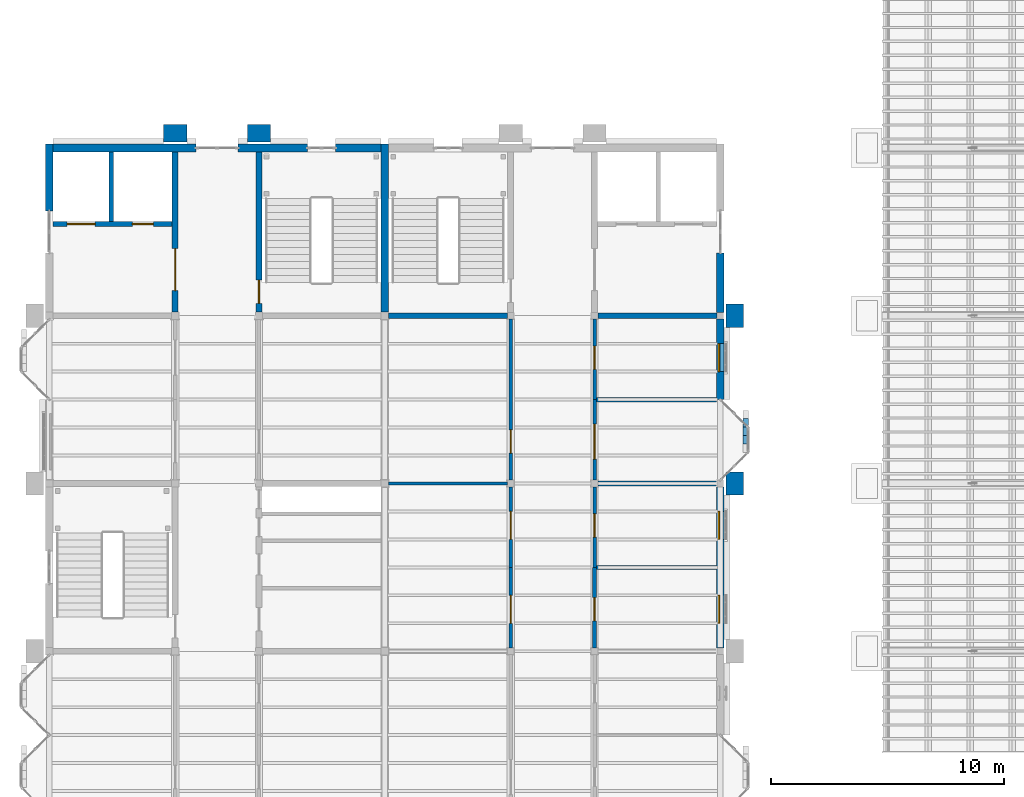
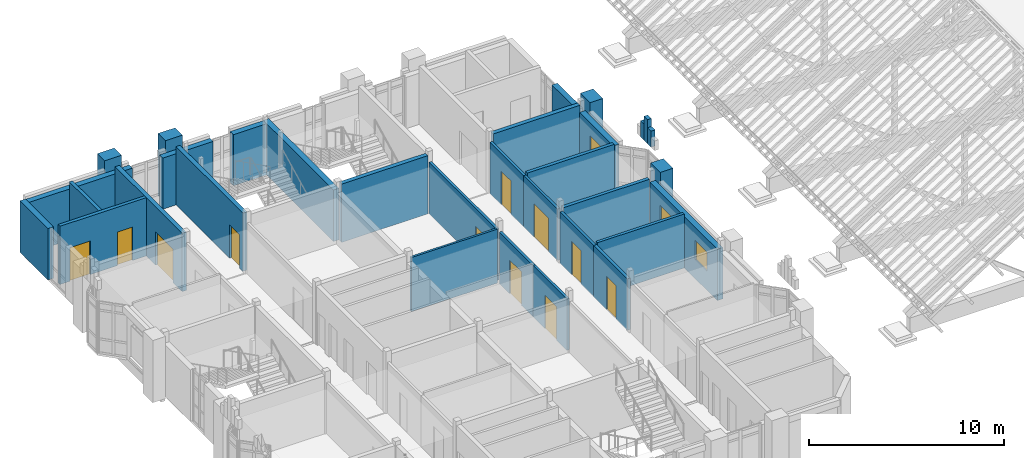
# One storey, part 43 of 71: 32 walls, 11 doors, 3 windows, 14 openings.
"""IFC4 building model written with IfcOpenShell, lengths in metres."""

import ifcopenshell
import ifcopenshell.guid

model = None  # the IFC model being written
_history = None  # IfcOwnerHistory: only IFC2X3 demands one
_inside = {}  # id of a spatial element -> (the spatial element, [elements in it])
_under = {}  # id of a project, library or spatial element -> (it, [spatial elements below it])
_declared = {}  # id of a project -> (the project, [libraries it declares])
_typed = {}  # id of a type object -> (the type object, [elements of that type])
_made_of = {}  # id of a material, layer set ... -> (it, [elements and type objects made of it])


def new_model(schema):
    """Start an empty IFC model of exactly this schema.

    Asked for "IFC4X3", IfcOpenShell would pick the latest addendum, in which some entities
    have other attributes; the version numbers below select the first issue.
    IFC2X3 requires an IfcOwnerHistory on every rooted entity: one is made here for all.
    """
    global model, _history
    if schema == "IFC4X3":
        model = ifcopenshell.file(schema_version=(4, 3, 0, 0))
    else:
        model = ifcopenshell.file(schema=schema)
    _inside.clear()
    _under.clear()
    _declared.clear()
    _typed.clear()
    _made_of.clear()
    _history = None
    if model.schema == "IFC2X3":
        org = make("IfcOrganization", Name="unknown")
        user = make(
            "IfcPersonAndOrganization",
            ThePerson=make("IfcPerson", FamilyName="unknown"),
            TheOrganization=org,
        )
        app = make(
            "IfcApplication",
            ApplicationDeveloper=org,
            Version="unknown",
            ApplicationFullName="unknown",
            ApplicationIdentifier="unknown",
        )
        _history = make(
            "IfcOwnerHistory",
            OwningUser=user,
            OwningApplication=app,
            ChangeAction="ADDED",
            CreationDate=0,
        )
    return model


def make(cls, **values):
    """One entity of the class cls with the attributes given. An attribute that is None is left unset."""
    return model.create_entity(
        cls, **{name: value for name, value in values.items() if value is not None}
    )


def rooted(cls, **values):
    """An entity with a GlobalId (a new one), such as an element, a storey or a relation."""
    return make(cls, GlobalId=ifcopenshell.guid.new(), OwnerHistory=_history, **values)


def si_unit(unit_type, name, prefix=None):
    """IfcSIUnit, for example si_unit("LENGTHUNIT", "METRE", prefix="MILLI")."""
    return make("IfcSIUnit", UnitType=unit_type, Prefix=prefix, Name=name)


def assignment(units):
    """IfcUnitAssignment: the units of a project."""
    return None if units is None else make("IfcUnitAssignment", Units=units)


def point(xyz):
    """IfcCartesianPoint."""
    return None if xyz is None else make("IfcCartesianPoint", Coordinates=xyz)


def direction(xyz):
    """IfcDirection."""
    return None if xyz is None else make("IfcDirection", DirectionRatios=xyz)


def frame(location, z_axis=None, x_axis=None):
    """IfcAxis2Placement3D, a coordinate frame: its origin and axes. An axis left out is left unset."""
    return make(
        "IfcAxis2Placement3D",
        Location=point(location),
        Axis=direction(z_axis),
        RefDirection=direction(x_axis),
    )


def frame_2d(location, x_axis=None):
    """IfcAxis2Placement2D, a coordinate frame in the plane: its origin and x axis."""
    return make(
        "IfcAxis2Placement2D", Location=point(location), RefDirection=direction(x_axis)
    )


def origin():
    """The frame at (0, 0, 0) with its axes left unset."""
    return frame((0.0, 0.0, 0.0))


def place(relative_to, where):
    """IfcLocalPlacement: puts the frame where relative to a parent placement (None: the world)."""
    return make(
        "IfcLocalPlacement", PlacementRelTo=relative_to, RelativePlacement=where
    )


def context(
    kind, dimensions, precision=None, world=None, true_north=None, identifier=None
):
    """IfcGeometricRepresentationContext, for example the 3D "Model" context."""
    return make(
        "IfcGeometricRepresentationContext",
        ContextIdentifier=identifier,
        ContextType=kind,
        CoordinateSpaceDimension=dimensions,
        Precision=precision,
        WorldCoordinateSystem=world,
        TrueNorth=true_north,
    )


def subcontext(parent, identifier, kind, view, scale=None):
    """IfcGeometricRepresentationSubContext, for example "Body" below "Model"."""
    return make(
        "IfcGeometricRepresentationSubContext",
        ContextIdentifier=identifier,
        ContextType=kind,
        ParentContext=parent,
        TargetScale=scale,
        TargetView=view,
    )


def project(units=None, contexts=None):
    """IfcProject with its units and contexts."""
    return rooted(
        "IfcProject",
        Name="project",
        RepresentationContexts=contexts,
        UnitsInContext=assignment(units),
    )


def spatial(cls, under=None, at=None, **own):
    """A site, building, storey or space (cls), placed at a placement, below another one or the project."""
    s = rooted(cls, ObjectPlacement=at, **own)
    if under is not None:
        _under.setdefault(under.id(), (under, []))[1].append(s)
    return s


def profile(cls, at=None, kind="AREA", **sizes):
    """A parametric profile (cls). Its sizes go by their IFC names, for example OverallWidth=200.0."""
    return make(cls, ProfileType=kind, Position=at, **sizes)


def rectangle(**sizes):
    """IfcRectangleProfileDef."""
    return profile("IfcRectangleProfileDef", **sizes)


def extrude(swept, where, along, depth):
    """IfcExtrudedAreaSolid: the profile swept, set in the frame where, extruded along a direction by depth."""
    return make(
        "IfcExtrudedAreaSolid",
        SweptArea=swept,
        Position=where,
        ExtrudedDirection=direction(along),
        Depth=depth,
    )


def shape(context_of_items, identifier, shape_type, items):
    """IfcShapeRepresentation: the items that make up one representation, for example the "Body"."""
    return make(
        "IfcShapeRepresentation",
        ContextOfItems=context_of_items,
        RepresentationIdentifier=identifier,
        RepresentationType=shape_type,
        Items=items,
    )


def material(Name=None, Category=None):
    """IfcMaterial."""
    return make("IfcMaterial", Name=Name, Category=Category)


def layer(
    of_material, thickness, ventilated=None, Name=None, Category=None, Priority=None
):
    """IfcMaterialLayer: one layer of a wall or slab, of a material (None: an air gap)."""
    return make(
        "IfcMaterialLayer",
        Material=of_material,
        LayerThickness=thickness,
        IsVentilated=ventilated,
        Name=Name,
        Category=Category,
        Priority=Priority,
    )


def layer_set(layers, Name=None):
    """IfcMaterialLayerSet."""
    return make("IfcMaterialLayerSet", MaterialLayers=layers, LayerSetName=Name)


def made_of(thing, what):
    """Note that an element or type object is made of a material, layer set ...; save() writes the relation."""
    if what is not None:
        _made_of.setdefault(what.id(), (what, []))[1].append(thing)
    return thing


def type_object(cls, material=None, **own):
    """A type object (cls), such as IfcWallType, which elements share."""
    return made_of(rooted(cls, **own), material)


def element(
    cls,
    number,
    at=None,
    inside=None,
    cuts=None,
    type_object=None,
    material=None,
    context=None,
    identifier="Body",
    shape_type=None,
    held_by="IfcProductDefinitionShape",
    body=None,
    shapes=None,
    **own,
):
    """One element of the class cls, such as IfcWall. Its Tag is "e" and its number.

    at: its placement. inside: the storey or other place that contains it. cuts: it is an
    opening in that element (IfcRelVoidsElement). A single representation is given by context,
    identifier, shape_type and body (its items); several are given by shapes. held_by: the class
    of the entity that holds the representations. save() writes the other relations.
    """
    e = rooted(cls, Tag="e%d" % number, ObjectPlacement=at, **own)
    if body is not None:
        shapes = [shape(context, identifier, shape_type, body)]
    if shapes is not None:
        e.Representation = make(held_by, Representations=shapes)
    if inside is not None:
        _inside.setdefault(inside.id(), (inside, []))[1].append(e)
    if cuts is not None:
        rooted(
            "IfcRelVoidsElement", RelatingBuildingElement=cuts, RelatedOpeningElement=e
        )
    if type_object is not None:
        _typed.setdefault(type_object.id(), (type_object, []))[1].append(e)
    return made_of(e, material)


def fill(opening, filler):
    """IfcRelFillsElement: the door or window that sits in an opening."""
    return rooted(
        "IfcRelFillsElement",
        RelatingOpeningElement=opening,
        RelatedBuildingElement=filler,
    )


def aggregate(whole, parts):
    """IfcRelAggregates: a whole, such as a stair, and the parts it consists of."""
    return rooted("IfcRelAggregates", RelatingObject=whole, RelatedObjects=parts)


def save(model, path):
    """Write the relations noted so far, then the file.

    IfcRelAggregates (storeys below a building ...), IfcRelContainedInSpatialStructure (elements
    in a storey), IfcRelDefinesByType, IfcRelAssociatesMaterial and IfcRelDeclares: one each for
    every whole, place, type object, material and project.
    """
    for whole, parts in _under.values():
        aggregate(whole, parts)
    for where, things in _inside.values():
        rooted(
            "IfcRelContainedInSpatialStructure",
            RelatedElements=things,
            RelatingStructure=where,
        )
    for kind, things in _typed.values():
        rooted("IfcRelDefinesByType", RelatedObjects=things, RelatingType=kind)
    for what, things in _made_of.values():
        rooted("IfcRelAssociatesMaterial", RelatedObjects=things, RelatingMaterial=what)
    for by, libraries in _declared.values():
        rooted("IfcRelDeclares", RelatingContext=by, RelatedDefinitions=libraries)
    model.write(path)


model = new_model("IFC4")

# Units and contexts
model_context = context("Model", 3, precision=1e-05, world=origin(), true_north=direction((0.0, 1.0)))
body_context = subcontext(model_context, "Body", "Model", "MODEL_VIEW")
ifc_project = project(units=[si_unit("LENGTHUNIT", "METRE"), si_unit("AREAUNIT", "SQUARE_METRE"), si_unit("VOLUMEUNIT", "CUBIC_METRE"), si_unit("PLANEANGLEUNIT", "RADIAN"), si_unit("MASSUNIT", "GRAM", prefix="KILO")], contexts=[model_context])

# Site, building, storey
site_placement = place(None, origin())
site = spatial("IfcSite", under=ifc_project, at=site_placement, CompositionType="ELEMENT")
building_placement = place(site_placement, origin())
building = spatial("IfcBuilding", under=site, at=building_placement, Name="Mazhai Court Health Centre", CompositionType="ELEMENT")
storey_placement = place(building_placement, frame((0.0, 0.0, 10.199951171875)))
storey = spatial("IfcBuildingStorey", under=building, at=storey_placement, Name="L02", CompositionType="ELEMENT", Elevation=10.199951171875)

# Walls
ifc_material_1 = material(Name="Clay brick masonry", Category="masonry")
ifc_layer_1 = layer(ifc_material_1, 0.22998046875)
ifc_layer_set_1 = layer_set([ifc_layer_1], Name="BRICK PARAPET 230")
wall_type_1 = type_object("IfcWallType", Name="BRICK PARAPET 230", PredefinedType="SOLIDWALL", material=ifc_layer_set_1)
wall_1_placement = place(storey_placement, frame((36.0849609375, 29.860107421875, 3.900146484375), z_axis=(0.0, 0.0, 1.0), x_axis=(0.0, -1.0, 0.0)))
element("IfcWall", 1, at=wall_1_placement, inside=storey, type_object=wall_type_1, Name="PR-V5-L02-B30-1", PredefinedType="SOLIDWALL", context=body_context, shape_type="SweptSolid", body=[
    extrude(rectangle(XDim=0.360107421875, YDim=0.22998046875, at=frame_2d((0.18017578125, 0.0))), origin(), (0.0, 0.0, 1.0), 1.0),
])
wall_2_placement = place(storey_placement, frame((36.0849609375, 30.219970703125, 3.900146484375), z_axis=(0.0, 0.0, 1.0), x_axis=(0.0, -1.0, 0.0)))
element("IfcWall", 2, at=wall_2_placement, inside=storey, type_object=wall_type_1, Name="PR-V5-L02-B30-2", PredefinedType="SOLIDWALL", context=body_context, shape_type="SweptSolid", body=[
    extrude(rectangle(XDim=0.35986328125, YDim=0.22998046875, at=frame_2d((0.179931640625, 0.0))), origin(), (0.0, 0.0, 1.0), 1.5),
])
wall_3_placement = place(storey_placement, frame((36.0849609375, 30.580078125, 3.900146484375), z_axis=(0.0, 0.0, 1.0), x_axis=(0.0, -1.0, 0.0)))
element("IfcWall", 3, at=wall_3_placement, inside=storey, type_object=wall_type_1, Name="PR-V5-L02-B30-3", PredefinedType="SOLIDWALL", context=body_context, shape_type="SweptSolid", body=[
    extrude(rectangle(XDim=0.360107421875, YDim=0.22998046875, at=frame_2d((0.18017578125, 0.0))), origin(), (0.0, 0.0, 1.0), 1.0),
])
ifc_material_2 = material(Name="Clay brick masonry", Category="masonry")
ifc_layer_2 = layer(ifc_material_2, 0.75)
ifc_layer_set_2 = layer_set([ifc_layer_2], Name="BRICK PIER 750")
wall_type_2 = type_object("IfcWallType", Name="BRICK PIER 750", PredefinedType="SOLIDWALL", material=ifc_layer_set_2)
for number, where, z_axis, x_axis, name in (
    (4, (11.10009765625, 42.824951171875, 0.0), (0.0, 0.0, 1.0), (1.0, 0.0, 0.0), "EP-V2-L02-E54"),
    (5, (14.699951171875, 42.824951171875, 0.0), (0.0, 0.0, 1.0), (1.0, 0.0, 0.0), "EP-V2-L02-E90"),
    (6, (35.625, 28.300048828125, 0.0), (0.0, 0.0, 1.0), (0.0, -1.0, 0.0), "EP-V5-L02-B3"),
    (7, (35.625, 35.5, 0.0), (0.0, 0.0, 1.0), (0.0, -1.0, 0.0), "EP-V5-L02-B4"),
):
    element("IfcWall", number, at=place(storey_placement, frame(where, z_axis=z_axis, x_axis=x_axis)), inside=storey, type_object=wall_type_2, Name=name, PredefinedType="SOLIDWALL", context=body_context, shape_type="SweptSolid", body=[
        extrude(rectangle(XDim=1.0, YDim=0.75, at=frame_2d((0.5, 0.0))), origin(), (0.0, 0.0, 1.0), 3.900146484375),
    ])
ifc_material_3 = material(Name="Clay brick masonry", Category="masonry")
ifc_layer_3 = layer(ifc_material_3, 0.330078125)
ifc_layer_set_3 = layer_set([ifc_layer_3], Name="BRICK WALL 330 EXTERNAL")
wall_type_3 = type_object("IfcWallType", Name="BRICK WALL 330 EXTERNAL", PredefinedType="SOLIDWALL", material=ifc_layer_set_3)
wall_4_placement = place(storey_placement, frame((6.199951171875, 39.5, 0.0), z_axis=(0.0, 0.0, 1.0), x_axis=(0.0, 1.0, 0.0)))
element("IfcWall", 8, at=wall_4_placement, inside=storey, type_object=wall_type_3, Name="EW-V2-L02-A4b", PredefinedType="SOLIDWALL", context=body_context, shape_type="SweptSolid", body=[
    extrude(rectangle(XDim=2.864990234375, YDim=0.330078125, at=frame_2d((1.4326171875, 0.0))), origin(), (0.0, 0.0, 1.0), 3.219970703125),
])
wall_5_placement = place(storey_placement, frame((6.364990234375, 42.199951171875, 0.0), z_axis=(0.0, 0.0, 1.0), x_axis=(1.0, 0.0, 0.0)))
element("IfcWall", 9, at=wall_5_placement, inside=storey, type_object=wall_type_3, Name="EW-V2-L02-Ep0", PredefinedType="SOLIDWALL", context=body_context, shape_type="SweptSolid", body=[
    extrude(rectangle(XDim=6.135009765625, YDim=0.330078125, at=frame_2d((3.0673828125, 0.0))), origin(), (0.0, 0.0, 1.0), 3.199951171875),
])
wall_6_placement = place(storey_placement, frame((14.300048828125, 42.199951171875, 0.0), z_axis=(0.0, 0.0, 1.0), x_axis=(1.0, 0.0, 0.0)))
element("IfcWall", 10, at=wall_6_placement, inside=storey, type_object=wall_type_3, Name="EW-V2-L02-Ep1", PredefinedType="SOLIDWALL", context=body_context, shape_type="SweptSolid", body=[
    extrude(rectangle(XDim=2.97998046875, YDim=0.330078125, at=frame_2d((1.489990234375, 0.0))), origin(), (0.0, 0.0, 1.0), 3.199951171875),
])
wall_7_placement = place(storey_placement, frame((18.47998046875, 42.199951171875, 0.0), z_axis=(0.0, 0.0, 1.0), x_axis=(1.0, 0.0, 0.0)))
element("IfcWall", 11, at=wall_7_placement, inside=storey, type_object=wall_type_3, Name="EW-V2-L02-Ep2", PredefinedType="SOLIDWALL", context=body_context, shape_type="SweptSolid", body=[
    extrude(rectangle(XDim=1.955078125, YDim=0.330078125, at=frame_2d((0.9775390625, 0.0))), origin(), (0.0, 0.0, 1.0), 3.199951171875),
])

# Wall, openings, windows
wall_8_placement = place(storey_placement, frame((35.0, 27.659912109375, 0.0), z_axis=(0.0, 0.0, 1.0), x_axis=(0.0, -1.0, 0.0)))
wall_8 = element("IfcWall", 12, at=wall_8_placement, inside=storey, type_object=wall_type_3, Name="EW-V5-L02-B2p0", PredefinedType="SOLIDWALL", context=body_context, shape_type="SweptSolid", body=[
    extrude(rectangle(XDim=6.919921875, YDim=0.330078125, at=frame_2d((3.4599609375, 0.0))), origin(), (0.0, 0.0, 1.0), 3.219970703125),
])
opening_1_placement = place(wall_8_placement, frame((4.659912109375, 0.0, 1.199951171875)))
opening_1 = element("IfcOpeningElement", 13, at=opening_1_placement, cuts=wall_8, Name="Opening W13", PredefinedType="OPENING", context=body_context, shape_type="SweptSolid", body=[
    extrude(rectangle(XDim=1.199951171875, YDim=1.199951171875, at=frame_2d((0.60009765625, 0.60009765625))), frame((0.0, 0.175048828125, 0.0), z_axis=(0.0, -1.0, 0.0), x_axis=(1.0, 0.0, 0.0)), (0.0, 0.0, 1.0), 0.35009765625),
])
opening_2_placement = place(wall_8_placement, frame((1.06005859375, 0.0, 0.89990234375)))
opening_2 = element("IfcOpeningElement", 14, at=opening_2_placement, cuts=wall_8, Name="Opening W12", PredefinedType="OPENING", context=body_context, shape_type="SweptSolid", body=[
    extrude(rectangle(XDim=1.199951171875, YDim=1.5, at=frame_2d((0.60009765625, 0.75))), frame((0.0, 0.175048828125, 0.0), z_axis=(0.0, -1.0, 0.0), x_axis=(1.0, 0.0, 0.0)), (0.0, 0.0, 1.0), 0.35009765625),
])
ifc_material_4 = material(Name="Teak timber frame, glazed", Category="wood")
window_type_1 = type_object("IfcWindowType", Name="WINDOW OFFICE 1200x1500", PartitioningType="SINGLE_PANEL", PredefinedType="WINDOW", material=ifc_material_4)
window_1_placement = place(opening_2_placement, origin())
window_1 = element("IfcWindow", 15, at=window_1_placement, inside=storey, type_object=window_type_1, Name="W12 WN-V5-L02-B21", OverallHeight=1.5, OverallWidth=1.199951171875, PartitioningType="SINGLE_PANEL", PredefinedType="WINDOW", context=body_context, shape_type="SweptSolid", body=[
    extrude(rectangle(XDim=1.199951171875, YDim=1.5, at=frame_2d((0.60009765625, 0.75))), frame((0.0, -0.030029296875, 0.0), z_axis=(0.0, -1.0, 0.0), x_axis=(1.0, 0.0, 0.0)), (0.0, 0.0, 1.0), 0.06005859375),
])
fill(opening_2, window_1)
ifc_material_5 = material(Name="Aluminium louvre frame", Category="aluminium")
window_type_2 = type_object("IfcWindowType", Name="WINDOW PLANT LOUVRE 1200x1200", PartitioningType="SINGLE_PANEL", PredefinedType="WINDOW", material=ifc_material_5)
window_2_placement = place(opening_1_placement, origin())
window_2 = element("IfcWindow", 16, at=window_2_placement, inside=storey, type_object=window_type_2, Name="W13 WN-V5-L02-B20", OverallHeight=1.199951171875, OverallWidth=1.199951171875, PartitioningType="SINGLE_PANEL", PredefinedType="WINDOW", context=body_context, shape_type="SweptSolid", body=[
    extrude(rectangle(XDim=1.199951171875, YDim=1.199951171875, at=frame_2d((0.60009765625, 0.60009765625))), frame((0.0, -0.030029296875, 0.0), z_axis=(0.0, -1.0, 0.0), x_axis=(1.0, 0.0, 0.0)), (0.0, 0.0, 1.0), 0.06005859375),
])
fill(opening_1, window_2)

# Wall, opening, window
wall_9_placement = place(storey_placement, frame((35.0, 34.860107421875, 0.0), z_axis=(0.0, 0.0, 1.0), x_axis=(0.0, -1.0, 0.0)))
wall_9 = element("IfcWall", 17, at=wall_9_placement, inside=storey, type_object=wall_type_3, Name="EW-V5-L02-B3p1", PredefinedType="SOLIDWALL", context=body_context, shape_type="SweptSolid", body=[
    extrude(rectangle(XDim=3.460205078125, YDim=0.330078125, at=frame_2d((1.72998046875, 0.0))), origin(), (0.0, 0.0, 1.0), 3.219970703125),
])
opening_3_placement = place(wall_9_placement, frame((1.06005859375, 0.0, 0.89990234375)))
opening_3 = element("IfcOpeningElement", 18, at=opening_3_placement, cuts=wall_9, Name="Opening W12", PredefinedType="OPENING", context=body_context, shape_type="SweptSolid", body=[
    extrude(rectangle(XDim=1.199951171875, YDim=1.5, at=frame_2d((0.60009765625, 0.75))), frame((0.0, 0.175048828125, 0.0), z_axis=(0.0, -1.0, 0.0), x_axis=(1.0, 0.0, 0.0)), (0.0, 0.0, 1.0), 0.35009765625),
])
window_3_placement = place(opening_3_placement, origin())
window_3 = element("IfcWindow", 19, at=window_3_placement, inside=storey, type_object=window_type_1, Name="W12 WN-V5-L02-B31", OverallHeight=1.5, OverallWidth=1.199951171875, PartitioningType="SINGLE_PANEL", PredefinedType="WINDOW", context=body_context, shape_type="SweptSolid", body=[
    extrude(rectangle(XDim=1.199951171875, YDim=1.5, at=frame_2d((0.60009765625, 0.75))), frame((0.0, -0.030029296875, 0.0), z_axis=(0.0, -1.0, 0.0), x_axis=(1.0, 0.0, 0.0)), (0.0, 0.0, 1.0), 0.06005859375),
])
fill(opening_3, window_3)

# Walls
wall_10_placement = place(storey_placement, frame((35.0, 37.699951171875, 0.0), z_axis=(0.0, 0.0, 1.0), x_axis=(0.0, -1.0, 0.0)))
element("IfcWall", 20, at=wall_10_placement, inside=storey, type_object=wall_type_3, Name="EW-V5-L02-B4a", PredefinedType="SOLIDWALL", context=body_context, shape_type="SweptSolid", body=[
    extrude(rectangle(XDim=2.56005859375, YDim=0.330078125, at=frame_2d((1.280029296875, 0.0))), origin(), (0.0, 0.0, 1.0), 3.219970703125),
])
ifc_material_6 = material(Name="Clay brick masonry", Category="masonry")
ifc_layer_4 = layer(ifc_material_6, 0.330078125)
ifc_layer_set_4 = layer_set([ifc_layer_4], Name="BRICK WALL 330 INTERNAL")
wall_type_4 = type_object("IfcWallType", Name="BRICK WALL 330 INTERNAL", PredefinedType="SOLIDWALL", material=ifc_layer_set_4)
wall_11_placement = place(storey_placement, frame((20.60009765625, 42.364990234375, 0.0), z_axis=(0.0, 0.0, 1.0), x_axis=(0.0, -1.0, 0.0)))
element("IfcWall", 21, at=wall_11_placement, inside=storey, type_object=wall_type_4, Name="EW-V2-L02-B4", PredefinedType="SOLIDWALL", context=body_context, shape_type="SweptSolid", body=[
    extrude(rectangle(XDim=7.205078125, YDim=0.330078125, at=frame_2d((3.6025390625, 0.0))), origin(), (0.0, 0.0, 1.0), 3.219970703125),
])
ifc_material_7 = material(Name="Gypsum plasterboard partition")
ifc_layer_5 = layer(ifc_material_7, 0.125)
ifc_layer_set_5 = layer_set([ifc_layer_5], Name="PARTITION 125 STUD EI30")
wall_type_5 = type_object("IfcWallType", Name="PARTITION 125 STUD EI30", PredefinedType="PARTITIONING", material=ifc_layer_set_5)
wall_12_placement = place(storey_placement, frame((20.764892578125, 27.800048828125, 0.0), z_axis=(0.0, 0.0, 1.0), x_axis=(1.0, 0.0, 0.0)))
element("IfcWall", 22, at=wall_12_placement, inside=storey, type_object=wall_type_5, Name="wall-V5-L02-A0-cross-3a", PredefinedType="PARTITIONING", context=body_context, shape_type="SweptSolid", body=[
    extrude(rectangle(XDim=5.09521484375, YDim=0.125, at=frame_2d((2.547607421875, 0.0))), origin(), (0.0, 0.0, 1.0), 3.380126953125),
])

# Wall, opening, door
ifc_material_8 = material(Name="Gypsum plasterboard partition")
ifc_layer_6 = layer(ifc_material_8, 0.14990234375)
ifc_layer_set_6 = layer_set([ifc_layer_6], Name="PARTITION 150 CORRIDOR EI60")
wall_type_6 = type_object("IfcWallType", Name="PARTITION 150 CORRIDOR EI60", PredefinedType="PARTITIONING", material=ifc_layer_set_6)
wall_13_placement = place(storey_placement, frame((26.0, 20.739990234375, 0.0), z_axis=(0.0, 0.0, 1.0), x_axis=(0.0, 1.0, 0.0)))
wall_13 = element("IfcWall", 23, at=wall_13_placement, inside=storey, type_object=wall_type_6, Name="wall-V5-L02-A0-corr-1a", PredefinedType="PARTITIONING", context=body_context, shape_type="SweptSolid", body=[
    extrude(rectangle(XDim=3.4599609375, YDim=0.14990234375, at=frame_2d((1.72998046875, 0.0))), origin(), (0.0, 0.0, 1.0), 3.219970703125),
])
opening_4_placement = place(wall_13_placement, frame((1.06005859375, 0.0, 0.0)))
opening_4 = element("IfcOpeningElement", 24, at=opening_4_placement, cuts=wall_13, Name="Opening D-L02-021", PredefinedType="OPENING", context=body_context, shape_type="SweptSolid", body=[
    extrude(rectangle(XDim=1.199951171875, YDim=2.10009765625, at=frame_2d((0.60009765625, 1.050048828125))), frame((0.0, 0.0849609375, 0.0), z_axis=(0.0, -1.0, 0.0), x_axis=(1.0, 0.0, 0.0)), (0.0, 0.0, 1.0), 0.169921875),
])
ifc_material_9 = material(Name="Hardwood door leaf", Category="wood")
door_type_1 = type_object("IfcDoorType", Name="DOOR 1200x2100 FD30S WIDE SINGLE", OperationType="NOTDEFINED", PredefinedType="DOOR", material=ifc_material_9)
door_1_placement = place(opening_4_placement, origin())
door_1 = element("IfcDoor", 25, at=door_1_placement, inside=storey, type_object=door_type_1, Name="door-V5-L02-A0-physiotherapy-treatment-room-1", OperationType="SINGLE_SWING_LEFT", OverallHeight=2.10009765625, OverallWidth=1.199951171875, PredefinedType="DOOR", context=body_context, shape_type="SweptSolid", body=[
    extrude(rectangle(XDim=1.199951171875, YDim=2.10009765625, at=frame_2d((0.60009765625, 1.050048828125))), frame((0.0, 0.02490234375, 0.0), z_axis=(0.0, -1.0, 0.0), x_axis=(1.0, 0.0, 0.0)), (0.0, 0.0, 1.0), 0.050048828125),
])
fill(opening_4, door_1)

wall_14_placement = place(storey_placement, frame((26.0, 24.199951171875, 0.0), z_axis=(0.0, 0.0, 1.0), x_axis=(0.0, 1.0, 0.0)))
wall_14 = element("IfcWall", 26, at=wall_14_placement, inside=storey, type_object=wall_type_6, Name="wall-V5-L02-A0-corr-2a", PredefinedType="PARTITIONING", context=body_context, shape_type="SweptSolid", body=[
    extrude(rectangle(XDim=3.4599609375, YDim=0.14990234375, at=frame_2d((1.72998046875, 0.0))), origin(), (0.0, 0.0, 1.0), 3.219970703125),
])
opening_5_placement = place(wall_14_placement, frame((1.199951171875, 0.0, 0.0)))
opening_5 = element("IfcOpeningElement", 27, at=opening_5_placement, cuts=wall_14, Name="Opening D-L02-022", PredefinedType="OPENING", context=body_context, shape_type="SweptSolid", body=[
    extrude(rectangle(XDim=1.199951171875, YDim=2.10009765625, at=frame_2d((0.60009765625, 1.050048828125))), frame((0.0, 0.0849609375, 0.0), z_axis=(0.0, -1.0, 0.0), x_axis=(1.0, 0.0, 0.0)), (0.0, 0.0, 1.0), 0.169921875),
])
door_2_placement = place(opening_5_placement, origin())
door_2 = element("IfcDoor", 28, at=door_2_placement, inside=storey, type_object=door_type_1, Name="door-V5-L02-A0-physiotherapy-treatment-room-2", OperationType="SINGLE_SWING_RIGHT", OverallHeight=2.10009765625, OverallWidth=1.199951171875, PredefinedType="DOOR", context=body_context, shape_type="SweptSolid", body=[
    extrude(rectangle(XDim=1.199951171875, YDim=2.10009765625, at=frame_2d((0.60009765625, 1.050048828125))), frame((0.0, 0.02490234375, 0.0), z_axis=(0.0, -1.0, 0.0), x_axis=(1.0, 0.0, 0.0)), (0.0, 0.0, 1.0), 0.050048828125),
])
fill(opening_5, door_2)

wall_15_placement = place(storey_placement, frame((26.0, 27.93994140625, 0.0), z_axis=(0.0, 0.0, 1.0), x_axis=(0.0, 1.0, 0.0)))
wall_15 = element("IfcWall", 29, at=wall_15_placement, inside=storey, type_object=wall_type_6, Name="wall-V5-L02-A0-corr-3a", PredefinedType="PARTITIONING", context=body_context, shape_type="SweptSolid", body=[
    extrude(rectangle(XDim=6.920166015625, YDim=0.14990234375, at=frame_2d((3.4599609375, 0.0))), origin(), (0.0, 0.0, 1.0), 3.219970703125),
])
opening_6_placement = place(wall_15_placement, frame((1.159912109375, 0.0, 0.0)))
opening_6 = element("IfcOpeningElement", 30, at=opening_6_placement, cuts=wall_15, Name="Opening D-L02-023", PredefinedType="OPENING", context=body_context, shape_type="SweptSolid", body=[
    extrude(rectangle(XDim=1.0, YDim=2.10009765625, at=frame_2d((0.5, 1.050048828125))), frame((0.0, 0.0849609375, 0.0), z_axis=(0.0, -1.0, 0.0), x_axis=(1.0, 0.0, 0.0)), (0.0, 0.0, 1.0), 0.169921875),
])
ifc_material_10 = material(Name="Hardwood door leaf", Category="wood")
door_type_2 = type_object("IfcDoorType", Name="DOOR 1000x2100 FD30S SINGLE", OperationType="NOTDEFINED", PredefinedType="DOOR", material=ifc_material_10)
door_3_placement = place(opening_6_placement, origin())
door_3 = element("IfcDoor", 31, at=door_3_placement, inside=storey, type_object=door_type_2, Name="door-V5-L02-A0-seminar-room", OperationType="SINGLE_SWING_LEFT", OverallHeight=2.10009765625, OverallWidth=1.0, PredefinedType="DOOR", context=body_context, shape_type="SweptSolid", body=[
    extrude(rectangle(XDim=1.0, YDim=2.10009765625, at=frame_2d((0.5, 1.050048828125))), frame((0.0, 0.02490234375, 0.0), z_axis=(0.0, -1.0, 0.0), x_axis=(1.0, 0.0, 0.0)), (0.0, 0.0, 1.0), 0.050048828125),
])
fill(opening_6, door_3)

wall_16_placement = place(storey_placement, frame((29.60009765625, 27.659912109375, 0.0), z_axis=(0.0, 0.0, 1.0), x_axis=(0.0, -1.0, 0.0)))
wall_16 = element("IfcWall", 32, at=wall_16_placement, inside=storey, type_object=wall_type_6, Name="wall-V5-L02-B0-corr-3a", PredefinedType="PARTITIONING", context=body_context, shape_type="SweptSolid", body=[
    extrude(rectangle(XDim=3.4599609375, YDim=0.14990234375, at=frame_2d((1.72998046875, 0.0))), origin(), (0.0, 0.0, 1.0), 3.219970703125),
])
opening_7_placement = place(wall_16_placement, frame((1.159912109375, 0.0, 0.0)))
opening_7 = element("IfcOpeningElement", 33, at=opening_7_placement, cuts=wall_16, Name="Opening D-L02-032", PredefinedType="OPENING", context=body_context, shape_type="SweptSolid", body=[
    extrude(rectangle(XDim=1.0, YDim=2.10009765625, at=frame_2d((0.5, 1.050048828125))), frame((0.0, 0.0849609375, 0.0), z_axis=(0.0, -1.0, 0.0), x_axis=(1.0, 0.0, 0.0)), (0.0, 0.0, 1.0), 0.169921875),
])
door_4_placement = place(opening_7_placement, origin())
door_4 = element("IfcDoor", 34, at=door_4_placement, inside=storey, type_object=door_type_2, Name="door-V5-L02-B0-staff-room", OperationType="SINGLE_SWING_LEFT", OverallHeight=2.10009765625, OverallWidth=1.0, PredefinedType="DOOR", context=body_context, shape_type="SweptSolid", body=[
    extrude(rectangle(XDim=1.0, YDim=2.10009765625, at=frame_2d((0.5, 1.050048828125))), frame((0.0, 0.02490234375, 0.0), z_axis=(0.0, -1.0, 0.0), x_axis=(1.0, 0.0, 0.0)), (0.0, 0.0, 1.0), 0.050048828125),
])
fill(opening_7, door_4)

wall_17_placement = place(storey_placement, frame((29.60009765625, 31.39990234375, 0.0), z_axis=(0.0, 0.0, 1.0), x_axis=(0.0, -1.0, 0.0)))
wall_17 = element("IfcWall", 35, at=wall_17_placement, inside=storey, type_object=wall_type_6, Name="wall-V5-L02-B0-corr-4a", PredefinedType="PARTITIONING", context=body_context, shape_type="SweptSolid", body=[
    extrude(rectangle(XDim=3.4599609375, YDim=0.14990234375, at=frame_2d((1.72998046875, 0.0))), origin(), (0.0, 0.0, 1.0), 3.219970703125),
])
opening_8_placement = place(wall_17_placement, frame((1.050048828125, 0.0, 0.0)))
opening_8 = element("IfcOpeningElement", 36, at=opening_8_placement, cuts=wall_17, Name="Opening D-L02-033", PredefinedType="OPENING", context=body_context, shape_type="SweptSolid", body=[
    extrude(rectangle(XDim=1.5, YDim=2.10009765625, at=frame_2d((0.75, 1.050048828125))), frame((0.0, 0.0849609375, 0.0), z_axis=(0.0, -1.0, 0.0), x_axis=(1.0, 0.0, 0.0)), (0.0, 0.0, 1.0), 0.169921875),
])
ifc_material_11 = material(Name="Hardwood door leaf", Category="wood")
door_type_3 = type_object("IfcDoorType", Name="DOOR 1500x2100 FD30S DOUBLE", OperationType="NOTDEFINED", PredefinedType="DOOR", material=ifc_material_11)
door_5_placement = place(opening_8_placement, origin())
door_5 = element("IfcDoor", 37, at=door_5_placement, inside=storey, type_object=door_type_3, Name="door-V5-L02-B0-occupational-therapy-room", OperationType="DOUBLE_DOOR_SINGLE_SWING", OverallHeight=2.10009765625, OverallWidth=1.5, PredefinedType="DOOR", context=body_context, shape_type="SweptSolid", body=[
    extrude(rectangle(XDim=1.5, YDim=2.10009765625, at=frame_2d((0.75, 1.050048828125))), frame((0.0, 0.02490234375, 0.0), z_axis=(0.0, -1.0, 0.0), x_axis=(1.0, 0.0, 0.0)), (0.0, 0.0, 1.0), 0.050048828125),
])
fill(opening_8, door_5)

wall_18_placement = place(storey_placement, frame((29.60009765625, 34.860107421875, 0.0), z_axis=(0.0, 0.0, 1.0), x_axis=(0.0, -1.0, 0.0)))
wall_18 = element("IfcWall", 38, at=wall_18_placement, inside=storey, type_object=wall_type_6, Name="wall-V5-L02-B0-corr-5a", PredefinedType="PARTITIONING", context=body_context, shape_type="SweptSolid", body=[
    extrude(rectangle(XDim=3.460205078125, YDim=0.14990234375, at=frame_2d((1.72998046875, 0.0))), origin(), (0.0, 0.0, 1.0), 3.219970703125),
])
opening_9_placement = place(wall_18_placement, frame((1.159912109375, 0.0, 0.0)))
opening_9 = element("IfcOpeningElement", 39, at=opening_9_placement, cuts=wall_18, Name="Opening D-L02-034", PredefinedType="OPENING", context=body_context, shape_type="SweptSolid", body=[
    extrude(rectangle(XDim=1.0, YDim=2.10009765625, at=frame_2d((0.5, 1.050048828125))), frame((0.0, 0.0849609375, 0.0), z_axis=(0.0, -1.0, 0.0), x_axis=(1.0, 0.0, 0.0)), (0.0, 0.0, 1.0), 0.169921875),
])
door_6_placement = place(opening_9_placement, origin())
door_6 = element("IfcDoor", 40, at=door_6_placement, inside=storey, type_object=door_type_2, Name="door-V5-L02-B0-rehabilitation-office", OperationType="SINGLE_SWING_LEFT", OverallHeight=2.10009765625, OverallWidth=1.0, PredefinedType="DOOR", context=body_context, shape_type="SweptSolid", body=[
    extrude(rectangle(XDim=1.0, YDim=2.10009765625, at=frame_2d((0.5, 1.050048828125))), frame((0.0, 0.02490234375, 0.0), z_axis=(0.0, -1.0, 0.0), x_axis=(1.0, 0.0, 0.0)), (0.0, 0.0, 1.0), 0.050048828125),
])
fill(opening_9, door_6)

ifc_material_12 = material(Name="Gypsum plasterboard partition")
ifc_layer_7 = layer(ifc_material_12, 0.175048828125)
ifc_layer_set_7 = layer_set([ifc_layer_7], Name="PARTITION 175 FIRE EI60")
wall_type_7 = type_object("IfcWallType", Name="PARTITION 175 FIRE EI60", PredefinedType="PARTITIONING", material=ifc_layer_set_7)
wall_19_placement = place(storey_placement, frame((29.60009765625, 20.739990234375, 0.0), z_axis=(0.0, 0.0, 1.0), x_axis=(0.0, 1.0, 0.0)))
wall_19 = element("IfcWall", 41, at=wall_19_placement, inside=storey, type_object=wall_type_7, Name="wall-V5-L02-B0-corr-2a", PredefinedType="PARTITIONING", context=body_context, shape_type="SweptSolid", body=[
    extrude(rectangle(XDim=3.4599609375, YDim=0.175048828125, at=frame_2d((1.72998046875, 0.0))), origin(), (0.0, 0.0, 1.0), 3.219970703125),
])
opening_10_placement = place(wall_19_placement, frame((1.159912109375, 0.0, 0.0)))
opening_10 = element("IfcOpeningElement", 42, at=opening_10_placement, cuts=wall_19, Name="Opening D-L02-031", PredefinedType="OPENING", context=body_context, shape_type="SweptSolid", body=[
    extrude(rectangle(XDim=1.0, YDim=2.10009765625, at=frame_2d((0.5, 1.050048828125))), frame((0.0, 0.097412109375, 0.0), z_axis=(0.0, -1.0, 0.0), x_axis=(1.0, 0.0, 0.0)), (0.0, 0.0, 1.0), 0.195068359375),
])
ifc_material_13 = material(Name="Hardwood door leaf", Category="wood")
door_type_4 = type_object("IfcDoorType", Name="DOOR 1000x2100 FD60 SINGLE", OperationType="NOTDEFINED", PredefinedType="DOOR", material=ifc_material_13)
door_7_placement = place(opening_10_placement, origin())
door_7 = element("IfcDoor", 43, at=door_7_placement, inside=storey, type_object=door_type_4, Name="door-V5-L02-B0-server-room", OperationType="SINGLE_SWING_LEFT", OverallHeight=2.10009765625, OverallWidth=1.0, PredefinedType="DOOR", context=body_context, shape_type="SweptSolid", body=[
    extrude(rectangle(XDim=1.0, YDim=2.10009765625, at=frame_2d((0.5, 1.050048828125))), frame((0.0, 0.02490234375, 0.0), z_axis=(0.0, -1.0, 0.0), x_axis=(1.0, 0.0, 0.0)), (0.0, 0.0, 1.0), 0.050048828125),
])
fill(opening_10, door_7)

# Walls
wall_20_placement = place(storey_placement, frame((34.8349609375, 24.199951171875, 0.0), z_axis=(0.0, 0.0, 1.0), x_axis=(-1.0, 0.0, 0.0)))
element("IfcWall", 44, at=wall_20_placement, inside=storey, type_object=wall_type_7, Name="wall-V5-L02-B0-cross-3a", PredefinedType="PARTITIONING", context=body_context, shape_type="SweptSolid", body=[
    extrude(rectangle(XDim=5.1474609375, YDim=0.175048828125, at=frame_2d((2.57373046875, 0.0))), origin(), (0.0, 0.0, 1.0), 3.380126953125),
])
ifc_material_14 = material(Name="Gypsum plasterboard partition")
ifc_layer_8 = layer(ifc_material_14, 0.199951171875)
ifc_layer_set_8 = layer_set([ifc_layer_8], Name="PARTITION 200 ACOUSTIC EI30")
wall_type_8 = type_object("IfcWallType", Name="PARTITION 200 ACOUSTIC EI30", PredefinedType="PARTITIONING", material=ifc_layer_set_8)
wall_21_placement = place(storey_placement, frame((34.8349609375, 27.800048828125, 0.0), z_axis=(0.0, 0.0, 1.0), x_axis=(-1.0, 0.0, 0.0)))
element("IfcWall", 45, at=wall_21_placement, inside=storey, type_object=wall_type_8, Name="wall-V5-L02-B0-cross-4a", PredefinedType="PARTITIONING", context=body_context, shape_type="SweptSolid", body=[
    extrude(rectangle(XDim=5.094970703125, YDim=0.199951171875, at=frame_2d((2.54736328125, 0.0))), origin(), (0.0, 0.0, 1.0), 3.380126953125),
])
wall_22_placement = place(storey_placement, frame((34.8349609375, 31.39990234375, 0.0), z_axis=(0.0, 0.0, 1.0), x_axis=(-1.0, 0.0, 0.0)))
element("IfcWall", 46, at=wall_22_placement, inside=storey, type_object=wall_type_8, Name="wall-V5-L02-B0-cross-5a", PredefinedType="PARTITIONING", context=body_context, shape_type="SweptSolid", body=[
    extrude(rectangle(XDim=5.1474609375, YDim=0.199951171875, at=frame_2d((2.57373046875, 0.0))), origin(), (0.0, 0.0, 1.0), 3.380126953125),
])

# Wall, opening, door
ifc_material_15 = material(Name="Concrete M40", Category="concrete")
ifc_layer_9 = layer(ifc_material_15, 0.25)
ifc_layer_set_9 = layer_set([ifc_layer_9], Name="RC CORE WALL 250 M40")
wall_type_9 = type_object("IfcWallType", Name="RC CORE WALL 250 M40", PredefinedType="SHEAR", material=ifc_layer_set_9)
wall_23_placement = place(storey_placement, frame((15.199951171875, 35.159912109375, 0.0), z_axis=(0.0, 0.0, 1.0), x_axis=(0.0, 1.0, 0.0)))
wall_23 = element("IfcWall", 47, at=wall_23_placement, inside=storey, type_object=wall_type_9, Name="core-C3-w-stair-corr-L02", PredefinedType="SHEAR", context=body_context, shape_type="SweptSolid", body=[
    extrude(rectangle(XDim=6.875, YDim=0.25, at=frame_2d((3.4375, 0.0))), origin(), (0.0, 0.0, 1.0), 3.650146484375),
])
opening_11_placement = place(wall_23_placement, frame((0.364990234375, 0.0, 0.0)))
opening_11 = element("IfcOpeningElement", 48, at=opening_11_placement, cuts=wall_23, Name="Opening D-L02-018", PredefinedType="OPENING", context=body_context, shape_type="SweptSolid", body=[
    extrude(rectangle(XDim=1.0, YDim=2.10009765625, at=frame_2d((0.5, 1.050048828125))), frame((0.0, 0.135009765625, 0.0), z_axis=(0.0, -1.0, 0.0), x_axis=(1.0, 0.0, 0.0)), (0.0, 0.0, 1.0), 0.27001953125),
])
ifc_material_16 = material(Name="Steel fire door leaf", Category="steel")
door_type_5 = type_object("IfcDoorType", Name="FD120S STAIR DOOR 1000x2100", OperationType="SINGLE_SWING_LEFT", PredefinedType="DOOR", material=ifc_material_16)
door_8_placement = place(opening_11_placement, origin())
door_8 = element("IfcDoor", 49, at=door_8_placement, inside=storey, type_object=door_type_5, Name="Stair 3 door L02", OperationType="SINGLE_SWING_LEFT", OverallHeight=2.10009765625, OverallWidth=1.0, PredefinedType="DOOR", context=body_context, shape_type="SweptSolid", body=[
    extrude(rectangle(XDim=1.0, YDim=2.10009765625, at=frame_2d((0.5, 1.050048828125))), frame((0.0, 0.02490234375, 0.0), z_axis=(0.0, -1.0, 0.0), x_axis=(1.0, 0.0, 0.0)), (0.0, 0.0, 1.0), 0.050048828125),
])
fill(opening_11, door_8)

wall_24_placement = place(storey_placement, frame((11.60009765625, 35.159912109375, 0.0), z_axis=(0.0, 0.0, 1.0), x_axis=(0.0, 1.0, 0.0)))
wall_24 = element("IfcWall", 50, at=wall_24_placement, inside=storey, type_object=wall_type_9, Name="core-C3-w-other-corr-L02", PredefinedType="SHEAR", context=body_context, shape_type="SweptSolid", body=[
    extrude(rectangle(XDim=6.875, YDim=0.25, at=frame_2d((3.4375, 0.0))), origin(), (0.0, 0.0, 1.0), 3.650146484375),
])
opening_12_placement = place(wall_24_placement, frame((0.919921875, 0.0, 0.0)))
opening_12 = element("IfcOpeningElement", 51, at=opening_12_placement, cuts=wall_24, Name="Opening D-L02-006", PredefinedType="OPENING", context=body_context, shape_type="SweptSolid", body=[
    extrude(rectangle(XDim=1.800048828125, YDim=2.10009765625, at=frame_2d((0.89990234375, 1.050048828125))), frame((0.0, 0.135009765625, 0.0), z_axis=(0.0, -1.0, 0.0), x_axis=(1.0, 0.0, 0.0)), (0.0, 0.0, 1.0), 0.27001953125),
])
ifc_material_17 = material(Name="Steel fire door leaf", Category="steel")
door_type_6 = type_object("IfcDoorType", Name="FD60S LIFT LOBBY DOOR 1800x2100", OperationType="DOUBLE_DOOR_SINGLE_SWING", PredefinedType="DOOR", material=ifc_material_17)
door_9_placement = place(opening_12_placement, origin())
door_9 = element("IfcDoor", 52, at=door_9_placement, inside=storey, type_object=door_type_6, Name="Lift lobby door L02", OperationType="DOUBLE_DOOR_SINGLE_SWING", OverallHeight=2.10009765625, OverallWidth=1.800048828125, PredefinedType="DOOR", context=body_context, shape_type="SweptSolid", body=[
    extrude(rectangle(XDim=1.800048828125, YDim=2.10009765625, at=frame_2d((0.89990234375, 1.050048828125))), frame((0.0, 0.02490234375, 0.0), z_axis=(0.0, -1.0, 0.0), x_axis=(1.0, 0.0, 0.0)), (0.0, 0.0, 1.0), 0.050048828125),
])
fill(opening_12, door_9)

# Walls
wall_25_placement = place(storey_placement, frame((20.760009765625, 35.0, 0.0), z_axis=(0.0, 0.0, 1.0), x_axis=(1.0, 0.0, 0.0)))
element("IfcWall", 53, at=wall_25_placement, inside=storey, type_object=wall_type_9, Name="core-C5-w-stair-line0-L02", PredefinedType="SHEAR", context=body_context, shape_type="SweptSolid", body=[
    extrude(rectangle(XDim=5.10009765625, YDim=0.25, at=frame_2d((2.550048828125, 0.0))), origin(), (0.0, 0.0, 1.0), 3.650146484375),
])
wall_26_placement = place(storey_placement, frame((29.739990234375, 35.0, 0.0), z_axis=(0.0, 0.0, 1.0), x_axis=(1.0, 0.0, 0.0)))
element("IfcWall", 54, at=wall_26_placement, inside=storey, type_object=wall_type_9, Name="core-C5-w-other-line0-L02", PredefinedType="SHEAR", context=body_context, shape_type="SweptSolid", body=[
    extrude(rectangle(XDim=5.1201171875, YDim=0.25, at=frame_2d((2.56005859375, 0.0))), origin(), (0.0, 0.0, 1.0), 3.650146484375),
])

# Wall, openings, doors
ifc_material_18 = material(Name="Concrete M40", Category="concrete")
ifc_layer_10 = layer(ifc_material_18, 0.199951171875)
ifc_layer_set_10 = layer_set([ifc_layer_10], Name="RC SHAFT WALL 200 M40")
wall_type_10 = type_object("IfcWallType", Name="RC SHAFT WALL 200 M40", PredefinedType="SHEAR", material=ifc_layer_set_10)
wall_27_placement = place(storey_placement, frame((6.364990234375, 38.93505859375, 0.0), z_axis=(0.0, 0.0, 1.0), x_axis=(1.0, 0.0, 0.0)))
wall_27 = element("IfcWall", 55, at=wall_27_placement, inside=storey, type_object=wall_type_10, Name="core-C3-w-front-L02", PredefinedType="SHEAR", context=body_context, shape_type="SweptSolid", body=[
    extrude(rectangle(XDim=5.110107421875, YDim=0.199951171875, at=frame_2d((2.55517578125, 0.0))), origin(), (0.0, 0.0, 1.0), 3.650146484375),
])
opening_13_placement = place(wall_27_placement, frame((0.60009765625, 0.0, 0.0)))
opening_13 = element("IfcOpeningElement", 56, at=opening_13_placement, cuts=wall_27, Name="Opening LD1-L02", PredefinedType="OPENING", context=body_context, shape_type="SweptSolid", body=[
    extrude(rectangle(XDim=1.199951171875, YDim=2.10009765625, at=frame_2d((0.60009765625, 1.050048828125))), frame((0.0, 0.10986328125, 0.0), z_axis=(0.0, -1.0, 0.0), x_axis=(1.0, 0.0, 0.0)), (0.0, 0.0, 1.0), 0.219970703125),
])
opening_14_placement = place(wall_27_placement, frame((3.405029296875, 0.0, 0.0)))
opening_14 = element("IfcOpeningElement", 57, at=opening_14_placement, cuts=wall_27, Name="Opening LD2-L02", PredefinedType="OPENING", context=body_context, shape_type="SweptSolid", body=[
    extrude(rectangle(XDim=0.89990234375, YDim=2.10009765625, at=frame_2d((0.449951171875, 1.050048828125))), frame((0.0, 0.10986328125, 0.0), z_axis=(0.0, -1.0, 0.0), x_axis=(1.0, 0.0, 0.0)), (0.0, 0.0, 1.0), 0.219970703125),
])
ifc_material_19 = material(Name="Stainless steel lift door", Category="steel")
door_type_7 = type_object("IfcDoorType", Name="LIFT LANDING DOOR 1200x2100", OperationType="DOUBLE_DOOR_SLIDING", PredefinedType="DOOR", material=ifc_material_19)
door_10_placement = place(opening_13_placement, origin())
door_10 = element("IfcDoor", 58, at=door_10_placement, inside=storey, type_object=door_type_7, Name="Landing door LD1 L02", OperationType="DOUBLE_DOOR_SLIDING", OverallHeight=2.10009765625, OverallWidth=1.199951171875, PredefinedType="DOOR", context=body_context, shape_type="SweptSolid", body=[
    extrude(rectangle(XDim=1.199951171875, YDim=2.10009765625, at=frame_2d((0.60009765625, 1.050048828125))), frame((0.0, 0.02490234375, 0.0), z_axis=(0.0, -1.0, 0.0), x_axis=(1.0, 0.0, 0.0)), (0.0, 0.0, 1.0), 0.050048828125),
])
fill(opening_13, door_10)
ifc_material_20 = material(Name="Stainless steel lift door", Category="steel")
door_type_8 = type_object("IfcDoorType", Name="LIFT LANDING DOOR 900x2100", OperationType="DOUBLE_DOOR_SLIDING", PredefinedType="DOOR", material=ifc_material_20)
door_11_placement = place(opening_14_placement, origin())
door_11 = element("IfcDoor", 59, at=door_11_placement, inside=storey, type_object=door_type_8, Name="Landing door LD2 L02", OperationType="DOUBLE_DOOR_SLIDING", OverallHeight=2.10009765625, OverallWidth=0.89990234375, PredefinedType="DOOR", context=body_context, shape_type="SweptSolid", body=[
    extrude(rectangle(XDim=0.89990234375, YDim=2.10009765625, at=frame_2d((0.449951171875, 1.050048828125))), frame((0.0, 0.02490234375, 0.0), z_axis=(0.0, -1.0, 0.0), x_axis=(1.0, 0.0, 0.0)), (0.0, 0.0, 1.0), 0.050048828125),
])
fill(opening_14, door_11)

# Wall
wall_28_placement = place(storey_placement, frame((8.864990234375, 42.034912109375, 0.0), z_axis=(0.0, 0.0, 1.0), x_axis=(0.0, -1.0, 0.0)))
element("IfcWall", 60, at=wall_28_placement, inside=storey, type_object=wall_type_10, Name="core-C3-w-divider0-L02", PredefinedType="SHEAR", context=body_context, shape_type="SweptSolid", body=[
    extrude(rectangle(XDim=3.0, YDim=0.199951171875, at=frame_2d((1.5, 0.0))), origin(), (0.0, 0.0, 1.0), 3.650146484375),
])

save(model, "model.ifc")
